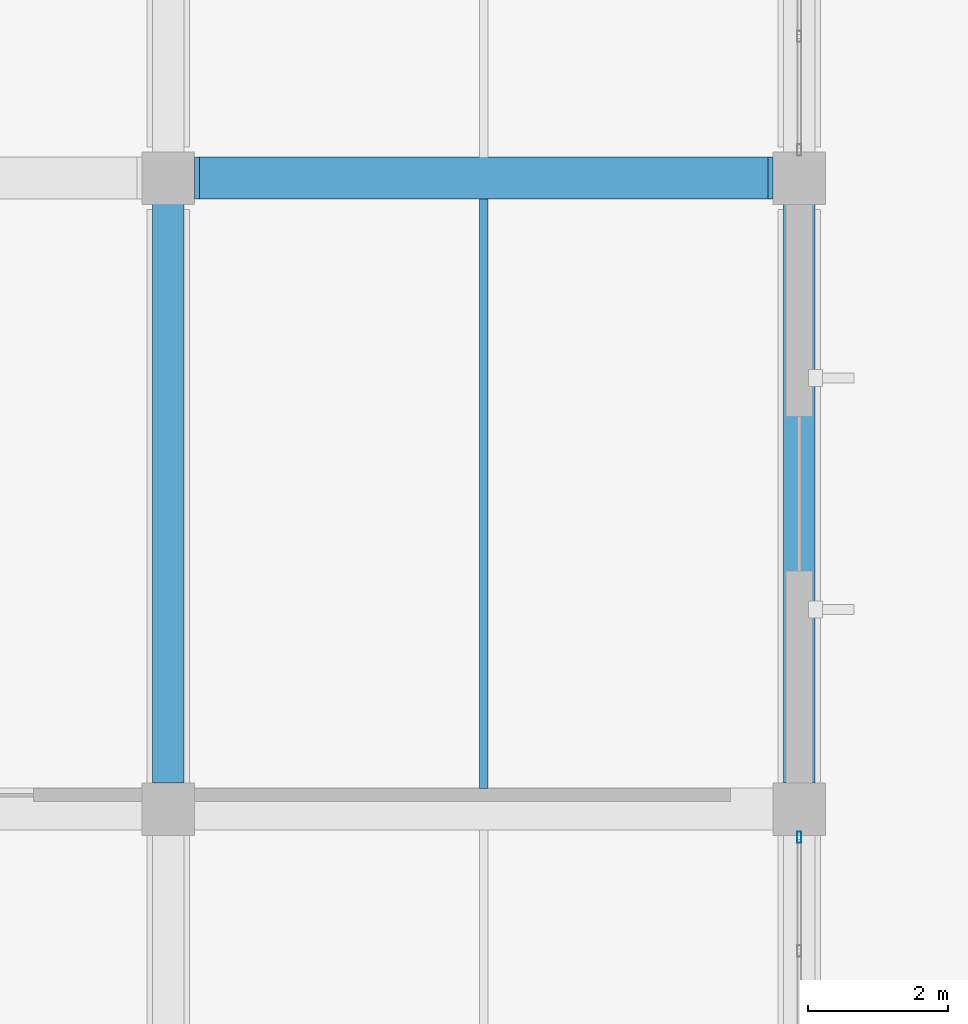
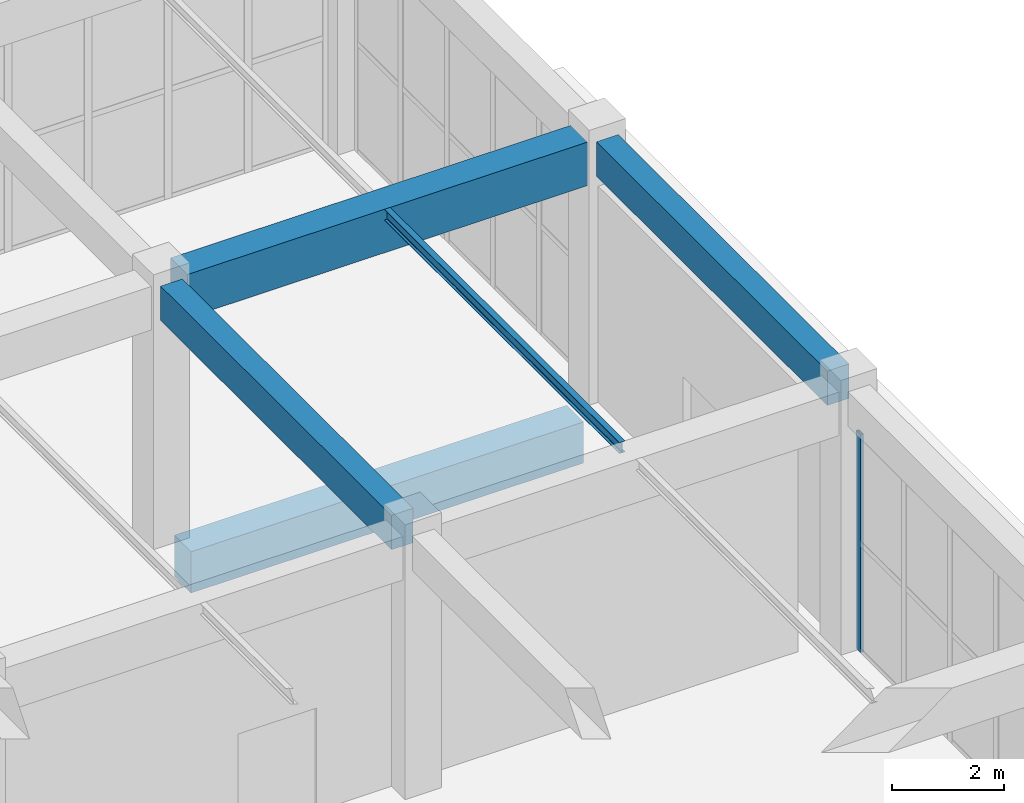
# One storey, part 23 of 91: 5 beams, 1 member, 1 element without a shape of its own.
"""IFC4 building model written with IfcOpenShell, lengths in metres."""

from ifc_helpers import new_model, si_unit, direction, frame, origin, origin_2d, place, context, subcontext, project, spatial, rectangle, hollow_rectangle, i_section, extrude, material, layer, layer_set, material_profile, profile_set, type_object, element, aggregate, save


model = new_model("IFC4")

# Units and contexts
model_context = context("Model", 3, precision=1e-05, world=origin(), true_north=direction((0.0, 1.0)))
body_context = subcontext(model_context, "Body", "Model", "MODEL_VIEW")
ifc_project = project(units=[si_unit("LENGTHUNIT", "METRE"), si_unit("AREAUNIT", "SQUARE_METRE"), si_unit("VOLUMEUNIT", "CUBIC_METRE"), si_unit("PLANEANGLEUNIT", "RADIAN"), si_unit("MASSUNIT", "GRAM", prefix="KILO")], contexts=[model_context])

# Site, building, storey
site_placement = place(None, origin())
site = spatial("IfcSite", under=ifc_project, at=site_placement, CompositionType="ELEMENT")
building_placement = place(site_placement, origin())
building = spatial("IfcBuilding", under=site, at=building_placement, Name="Dornveld Trade and Exhibition Forum", CompositionType="ELEMENT")
storey_placement = place(building_placement, origin())
storey = spatial("IfcBuildingStorey", under=building, at=storey_placement, Name="L00", CompositionType="ELEMENT", Elevation=0.0)

# Beams
ifc_material_1 = material(Name="Concrete C40/50", Category="concrete")
ifc_material_profile_1 = material_profile(ifc_material_1, rectangle(XDim=0.60009765625, YDim=0.89990234375, at=origin_2d()), Name="RC-GB 600x900")
ifc_profile_set_1 = profile_set([ifc_material_profile_1], Name="Concrete C40/50")
beam_type_1 = type_object("IfcBeamType", Name="BM-GB-600x900", PredefinedType="BEAM", material=ifc_profile_set_1)
beam_1_placement = place(storey_placement, frame((225.446044921875, 45.0, -0.830078125), z_axis=(1.0, 0.0, 0.0), x_axis=(0.0, 1.0, 0.0)))
element("IfcBeam", 1, at=beam_1_placement, inside=storey, type_object=beam_type_1, Name="L00 X-girder 601", PredefinedType="BEAM", context=body_context, shape_type="SweptSolid", body=[
    extrude(rectangle(XDim=0.60009765625, YDim=0.89990234375, at=origin_2d()), origin(), (0.0, 0.0, 1.0), 8.10791015625),
])
ifc_material_2 = material(Name="Steel S355J2", Category="steel")
ifc_material_profile_2 = material_profile(ifc_material_2, i_section(OverallWidth=0.1201171875, OverallDepth=0.239990234375, WebThickness=0.006103515625, FlangeThickness=0.009765625, FilletRadius=0.014892578125, at=origin_2d()), Name="IPE 240")
ifc_profile_set_2 = profile_set([ifc_material_profile_2], Name="Steel S355J2")
beam_type_2 = type_object("IfcBeamType", Name="BM-JOIST-240", PredefinedType="JOIST", material=ifc_profile_set_2)
beam_2_placement = place(storey_placement, frame((229.5, 36.297119140625, 5.580078125), z_axis=(0.0, 1.0, 0.0), x_axis=(-1.0, 0.0, 0.0)))
element("IfcBeam", 2, at=beam_2_placement, inside=storey, type_object=beam_type_2, Name="L00 secondary joist 953", PredefinedType="JOIST", context=body_context, shape_type="SweptSolid", body=[
    extrude(i_section(OverallWidth=0.1201171875, OverallDepth=0.239990234375, WebThickness=0.006103515625, FlangeThickness=0.009765625, FilletRadius=0.014892578125, at=origin_2d()), origin(), (0.0, 0.0, 1.0), 8.40576171875),
])
ifc_material_3 = material(Name="Precast concrete C50/60", Category="concrete")
ifc_material_profile_3 = material_profile(ifc_material_3, rectangle(XDim=0.449951171875, YDim=0.75, at=origin_2d()), Name="PC-BM 450x750")
ifc_profile_set_3 = profile_set([ifc_material_profile_3], Name="Precast concrete C50/60")
beam_type_3 = type_object("IfcBeamType", Name="BM-PC-450x750", PredefinedType="BEAM", material=ifc_profile_set_3)
for number, where, z_axis, x_axis, name in (
    (3, (225.0, 36.37109375, 5.324951171875), (0.0, 1.0, 0.0), (-1.0, 0.0, 0.0), "L00 Y-girder 926"),
    (4, (234.0, 36.37109375, 5.324951171875), (0.0, 1.0, 0.0), (-1.0, 0.0, 0.0), "L00 Y-girder 932"),
):
    element("IfcBeam", number, at=place(storey_placement, frame(where, z_axis=z_axis, x_axis=x_axis)), inside=storey, type_object=beam_type_3, Name=name, PredefinedType="BEAM", context=body_context, shape_type="SweptSolid", body=[
        extrude(rectangle(XDim=0.449951171875, YDim=0.75, at=origin_2d()), origin(), (0.0, 0.0, 1.0), 8.2578125),
    ])
ifc_material_4 = material(Name="Precast concrete C50/60", Category="concrete")
ifc_material_profile_4 = material_profile(ifc_material_4, rectangle(XDim=0.60009765625, YDim=0.949951171875, at=origin_2d()), Name="PC-GIR 600x950")
ifc_profile_set_4 = profile_set([ifc_material_profile_4], Name="Precast concrete C50/60")
beam_type_4 = type_object("IfcBeamType", Name="BM-PC-600x950", PredefinedType="T_BEAM", material=ifc_profile_set_4)
beam_3_placement = place(storey_placement, frame((225.37109375, 45.0, 5.22509765625), z_axis=(1.0, 0.0, 0.0), x_axis=(0.0, 1.0, 0.0)))
element("IfcBeam", 5, at=beam_3_placement, inside=storey, type_object=beam_type_4, Name="L00 X-girder 899", PredefinedType="T_BEAM", context=body_context, shape_type="SweptSolid", body=[
    extrude(rectangle(XDim=0.60009765625, YDim=0.949951171875, at=origin_2d()), origin(), (0.0, 0.0, 1.0), 8.2578125),
])

# Curtain wall, member
ifc_material_5 = material(Name="Dark-bronze anodised aluminium and low-E glass", Category="aluminium")
ifc_layer = layer(ifc_material_5, 0.18408203125)
ifc_layer_set = layer_set([ifc_layer], Name="Dark-bronze anodised aluminium and low-E glass")
curtain_wall_type = type_object("IfcCurtainWallType", Name="CW-SYS-14", PredefinedType="USERDEFINED", material=ifc_layer_set)
curtain_wall_placement = place(storey_placement, origin())
curtain_wall = element("IfcCurtainWall", 6, at=curtain_wall_placement, inside=storey, type_object=curtain_wall_type, Name="L00 unitised curtain wall 68", ObjectType="UNITISED_CURTAIN_WALL", PredefinedType="USERDEFINED")
ifc_material_6 = material(Name="Dark-bronze anodised aluminium", Category="aluminium")
ifc_material_profile_5 = material_profile(ifc_material_6, hollow_rectangle(XDim=0.06005859375, YDim=0.159912109375, WallThickness=0.00390625, at=origin_2d()), Name="RHS 160x60x4")
ifc_profile_set_5 = profile_set([ifc_material_profile_5], Name="Dark-bronze anodised aluminium")
member_type = type_object("IfcMemberType", Name="CW-MUL-160", PredefinedType="MULLION", material=ifc_profile_set_5)
member_placement = place(storey_placement, frame((234.0, 35.59912109375, -0.00390625), z_axis=(0.0, 0.0, 1.0), x_axis=(-1.0, 0.0, 0.0)))
member = element("IfcMember", 7, at=member_placement, type_object=member_type, Name="CW-14 mullion 6", PredefinedType="MULLION", context=body_context, shape_type="SweptSolid", body=[
    extrude(hollow_rectangle(XDim=0.06005859375, YDim=0.159912109375, WallThickness=0.00390625, at=origin_2d()), origin(), (0.0, 0.0, 1.0), 4.763916015625),
])
aggregate(curtain_wall, [member])

save(model, "model.ifc")
